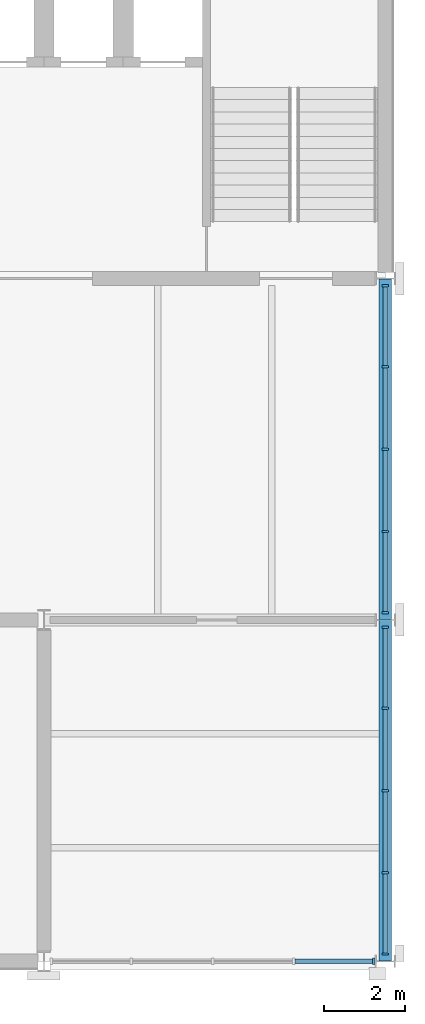
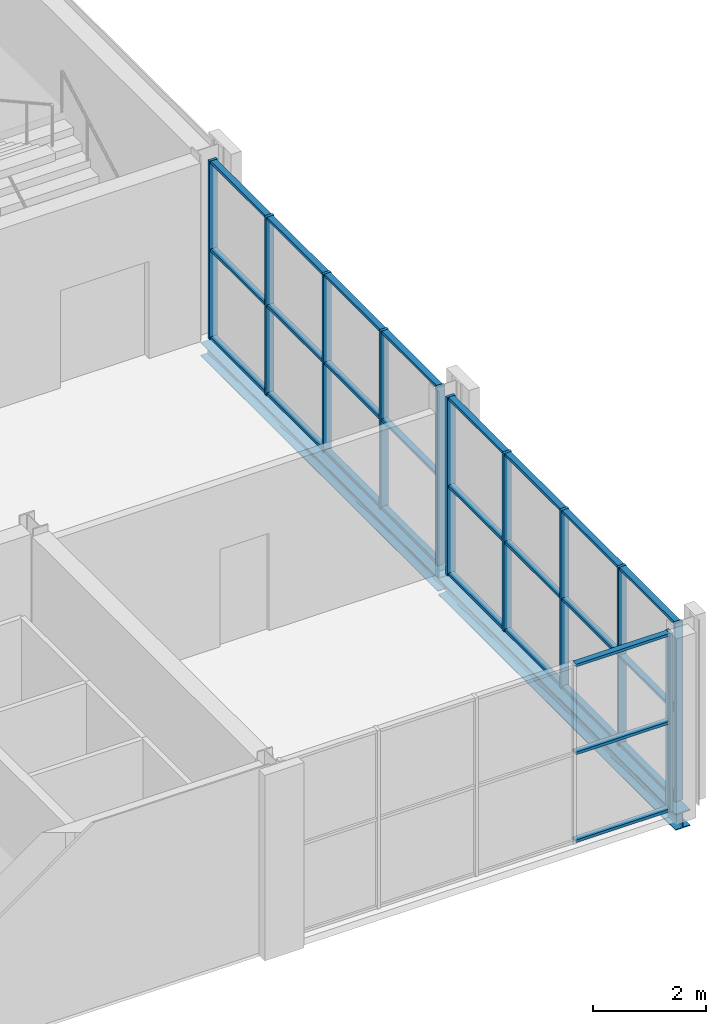
# One storey, part 6 of 12: 38 members, 2 beams, 3 elements without a shape of their own.
"""IFC4 building model written with IfcOpenShell, lengths in metres."""

from ifc_helpers import new_model, si_unit, direction, frame, origin, origin_2d, place, context, subcontext, project, spatial, rectangle, i_section, extrude, material, layer, layer_set, material_profile, profile_set, type_object, element, aggregate, save


model = new_model("IFC4")

# Units and contexts
model_context = context("Model", 3, precision=1e-05, world=origin(), true_north=direction((0.0, 1.0)))
body_context = subcontext(model_context, "Body", "Model", "MODEL_VIEW")
ifc_project = project(units=[si_unit("LENGTHUNIT", "METRE"), si_unit("AREAUNIT", "SQUARE_METRE"), si_unit("VOLUMEUNIT", "CUBIC_METRE"), si_unit("PLANEANGLEUNIT", "RADIAN"), si_unit("MASSUNIT", "GRAM", prefix="KILO")], contexts=[model_context])

# Site, building, storey
site_placement = place(None, origin())
site = spatial("IfcSite", under=ifc_project, at=site_placement, CompositionType="ELEMENT")
building_placement = place(site_placement, origin())
building = spatial("IfcBuilding", under=site, at=building_placement, Name="Galleria Vessillo Department Store", CompositionType="ELEMENT")
storey_placement = place(building_placement, frame((0.0, 0.0, 35.60009765625)))
storey = spatial("IfcBuildingStorey", under=building, at=storey_placement, Name="L07", CompositionType="ELEMENT", Elevation=35.60009765625)

# Curtain wall, member
ifc_material_1 = material(Name="Aluminium and glass curtain wall", Category="aluminium")
ifc_layer = layer(ifc_material_1, 0.159912109375)
ifc_layer_set = layer_set([ifc_layer], Name="Aluminium and glass curtain wall")
curtain_wall_type = type_object("IfcCurtainWallType", Name="Tower curtain wall CW4 2100 module", PredefinedType="NOTDEFINED", material=ifc_layer_set)
curtain_wall_1_placement = place(storey_placement, origin())
curtain_wall_1 = element("IfcCurtainWall", 1, at=curtain_wall_1_placement, inside=storey, type_object=curtain_wall_type, Name="Tower curtain wall CW4 2100 module TS-L07-03", PredefinedType="NOTDEFINED")
ifc_material_2 = material(Name="Aluminium alloy 6063 T6", Category="aluminium")
ifc_material_profile_1 = material_profile(ifc_material_2, rectangle(XDim=0.159912109375, YDim=0.06005859375, at=origin_2d()), Name="AL 60x160")
ifc_profile_set_1 = profile_set([ifc_material_profile_1], Name="Aluminium alloy 6063 T6")
member_type_1 = type_object("IfcMemberType", Name="Aluminium mullion 60 x 160", PredefinedType="MULLION", material=ifc_profile_set_1)
member_1_placement = place(storey_placement, frame((117.320068359375, 37.800048828125, 0.0), z_axis=(0.0, 0.0, 1.0), x_axis=(0.0, 1.0, 0.0)))
member_1 = element("IfcMember", 2, at=member_1_placement, type_object=member_type_1, Name="CW4 mullion 5", PredefinedType="MULLION", context=body_context, shape_type="SweptSolid", body=[
    extrude(rectangle(XDim=0.159912109375, YDim=0.06005859375, at=origin_2d()), origin(), (0.0, 0.0, 1.0), 3.85009765625),
])

# Curtain wall, members
curtain_wall_2_placement = place(storey_placement, origin())
curtain_wall_2 = element("IfcCurtainWall", 3, at=curtain_wall_2_placement, inside=storey, type_object=curtain_wall_type, Name="Tower curtain wall CW4 2100 module TE-L07-01", PredefinedType="NOTDEFINED")
member_2_placement = place(storey_placement, frame((117.60009765625, 37.97998046875, 0.0), z_axis=(0.0, 0.0, 1.0), x_axis=(-1.0, 0.0, 0.0)))
member_2 = element("IfcMember", 4, at=member_2_placement, type_object=member_type_1, Name="CW4 mullion 1", PredefinedType="MULLION", context=body_context, shape_type="SweptSolid", body=[
    extrude(rectangle(XDim=0.159912109375, YDim=0.06005859375, at=origin_2d()), origin(), (0.0, 0.0, 1.0), 3.85009765625),
])
member_3_placement = place(storey_placement, frame((117.60009765625, 39.97509765625, 0.0), z_axis=(0.0, 0.0, 1.0), x_axis=(-1.0, 0.0, 0.0)))
member_3 = element("IfcMember", 5, at=member_3_placement, type_object=member_type_1, Name="CW4 mullion 2", PredefinedType="MULLION", context=body_context, shape_type="SweptSolid", body=[
    extrude(rectangle(XDim=0.159912109375, YDim=0.06005859375, at=origin_2d()), origin(), (0.0, 0.0, 1.0), 3.85009765625),
])
member_4_placement = place(storey_placement, frame((117.60009765625, 42.0, 0.0), z_axis=(0.0, 0.0, 1.0), x_axis=(-1.0, 0.0, 0.0)))
member_4 = element("IfcMember", 6, at=member_4_placement, type_object=member_type_1, Name="CW4 mullion 3", PredefinedType="MULLION", context=body_context, shape_type="SweptSolid", body=[
    extrude(rectangle(XDim=0.159912109375, YDim=0.06005859375, at=origin_2d()), origin(), (0.0, 0.0, 1.0), 3.85009765625),
])
member_5_placement = place(storey_placement, frame((117.60009765625, 44.02490234375, 0.0), z_axis=(0.0, 0.0, 1.0), x_axis=(-1.0, 0.0, 0.0)))
member_5 = element("IfcMember", 7, at=member_5_placement, type_object=member_type_1, Name="CW4 mullion 4", PredefinedType="MULLION", context=body_context, shape_type="SweptSolid", body=[
    extrude(rectangle(XDim=0.159912109375, YDim=0.06005859375, at=origin_2d()), origin(), (0.0, 0.0, 1.0), 3.85009765625),
])
member_6_placement = place(storey_placement, frame((117.60009765625, 46.02001953125, 0.0), z_axis=(0.0, 0.0, 1.0), x_axis=(-1.0, 0.0, 0.0)))
member_6 = element("IfcMember", 8, at=member_6_placement, type_object=member_type_1, Name="CW4 mullion 5", PredefinedType="MULLION", context=body_context, shape_type="SweptSolid", body=[
    extrude(rectangle(XDim=0.159912109375, YDim=0.06005859375, at=origin_2d()), origin(), (0.0, 0.0, 1.0), 3.85009765625),
])

curtain_wall_3_placement = place(storey_placement, origin())
curtain_wall_3 = element("IfcCurtainWall", 9, at=curtain_wall_3_placement, inside=storey, type_object=curtain_wall_type, Name="Tower curtain wall CW4 2100 module TE-L07-02", PredefinedType="NOTDEFINED")
member_7_placement = place(storey_placement, frame((117.60009765625, 46.3798828125, 0.0), z_axis=(0.0, 0.0, 1.0), x_axis=(-1.0, 0.0, 0.0)))
member_7 = element("IfcMember", 10, at=member_7_placement, type_object=member_type_1, Name="CW4 mullion 1", PredefinedType="MULLION", context=body_context, shape_type="SweptSolid", body=[
    extrude(rectangle(XDim=0.159912109375, YDim=0.06005859375, at=origin_2d()), origin(), (0.0, 0.0, 1.0), 3.85009765625),
])
member_8_placement = place(storey_placement, frame((117.60009765625, 48.375, 0.0), z_axis=(0.0, 0.0, 1.0), x_axis=(-1.0, 0.0, 0.0)))
member_8 = element("IfcMember", 11, at=member_8_placement, type_object=member_type_1, Name="CW4 mullion 2", PredefinedType="MULLION", context=body_context, shape_type="SweptSolid", body=[
    extrude(rectangle(XDim=0.159912109375, YDim=0.06005859375, at=origin_2d()), origin(), (0.0, 0.0, 1.0), 3.85009765625),
])
member_9_placement = place(storey_placement, frame((117.60009765625, 50.39990234375, 0.0), z_axis=(0.0, 0.0, 1.0), x_axis=(-1.0, 0.0, 0.0)))
member_9 = element("IfcMember", 12, at=member_9_placement, type_object=member_type_1, Name="CW4 mullion 3", PredefinedType="MULLION", context=body_context, shape_type="SweptSolid", body=[
    extrude(rectangle(XDim=0.159912109375, YDim=0.06005859375, at=origin_2d()), origin(), (0.0, 0.0, 1.0), 3.85009765625),
])
member_10_placement = place(storey_placement, frame((117.60009765625, 52.425048828125, 0.0), z_axis=(0.0, 0.0, 1.0), x_axis=(-1.0, 0.0, 0.0)))
member_10 = element("IfcMember", 13, at=member_10_placement, type_object=member_type_1, Name="CW4 mullion 4", PredefinedType="MULLION", context=body_context, shape_type="SweptSolid", body=[
    extrude(rectangle(XDim=0.159912109375, YDim=0.06005859375, at=origin_2d()), origin(), (0.0, 0.0, 1.0), 3.85009765625),
])
member_11_placement = place(storey_placement, frame((117.60009765625, 54.420166015625, 0.0), z_axis=(0.0, 0.0, 1.0), x_axis=(-1.0, 0.0, 0.0)))
member_11 = element("IfcMember", 14, at=member_11_placement, type_object=member_type_1, Name="CW4 mullion 5", PredefinedType="MULLION", context=body_context, shape_type="SweptSolid", body=[
    extrude(rectangle(XDim=0.159912109375, YDim=0.06005859375, at=origin_2d()), origin(), (0.0, 0.0, 1.0), 3.85009765625),
])

# Member
ifc_material_3 = material(Name="Aluminium alloy 6063 T6", Category="aluminium")
ifc_material_profile_2 = material_profile(ifc_material_3, rectangle(XDim=0.1201171875, YDim=0.06005859375, at=origin_2d()), Name="AL 60x120")
ifc_profile_set_2 = profile_set([ifc_material_profile_2], Name="Aluminium alloy 6063 T6")
member_type_2 = type_object("IfcMemberType", Name="Aluminium transom 60 x 120", PredefinedType="USERDEFINED", material=ifc_profile_set_2)
member_12_placement = place(storey_placement, frame((115.380126953125, 37.800048828125, 0.030029296875), z_axis=(1.0, 0.0, 0.0), x_axis=(0.0, 1.0, 0.0)))
member_12 = element("IfcMember", 15, at=member_12_placement, type_object=member_type_2, Name="CW4 transom 4.1", ObjectType="TRANSOM", PredefinedType="USERDEFINED", context=body_context, shape_type="SweptSolid", body=[
    extrude(rectangle(XDim=0.1201171875, YDim=0.06005859375, at=origin_2d()), origin(), (0.0, 0.0, 1.0), 1.909912109375),
])

member_13_placement = place(storey_placement, frame((115.380126953125, 37.800048828125, 1.925048828125), z_axis=(1.0, 0.0, 0.0), x_axis=(0.0, 1.0, 0.0)))
member_13 = element("IfcMember", 16, at=member_13_placement, type_object=member_type_2, Name="CW4 transom 4.2", ObjectType="TRANSOM", PredefinedType="USERDEFINED", context=body_context, shape_type="SweptSolid", body=[
    extrude(rectangle(XDim=0.1201171875, YDim=0.06005859375, at=origin_2d()), origin(), (0.0, 0.0, 1.0), 1.909912109375),
])

member_14_placement = place(storey_placement, frame((115.380126953125, 37.800048828125, 3.820068359375), z_axis=(1.0, 0.0, 0.0), x_axis=(0.0, 1.0, 0.0)))
member_14 = element("IfcMember", 17, at=member_14_placement, type_object=member_type_2, Name="CW4 transom 4.3", ObjectType="TRANSOM", PredefinedType="USERDEFINED", context=body_context, shape_type="SweptSolid", body=[
    extrude(rectangle(XDim=0.1201171875, YDim=0.06005859375, at=origin_2d()), origin(), (0.0, 0.0, 1.0), 1.909912109375),
])

aggregate(curtain_wall_1, [member_1, member_12, member_13, member_14])

member_15_placement = place(storey_placement, frame((117.60009765625, 38.010009765625, 0.030029296875), z_axis=(0.0, 1.0, 0.0), x_axis=(-1.0, 0.0, 0.0)))
member_15 = element("IfcMember", 18, at=member_15_placement, type_object=member_type_2, Name="CW4 transom 1.1", ObjectType="TRANSOM", PredefinedType="USERDEFINED", context=body_context, shape_type="SweptSolid", body=[
    extrude(rectangle(XDim=0.1201171875, YDim=0.06005859375, at=origin_2d()), origin(), (0.0, 0.0, 1.0), 1.93505859375),
])

member_16_placement = place(storey_placement, frame((117.60009765625, 38.010009765625, 1.925048828125), z_axis=(0.0, 1.0, 0.0), x_axis=(-1.0, 0.0, 0.0)))
member_16 = element("IfcMember", 19, at=member_16_placement, type_object=member_type_2, Name="CW4 transom 1.2", ObjectType="TRANSOM", PredefinedType="USERDEFINED", context=body_context, shape_type="SweptSolid", body=[
    extrude(rectangle(XDim=0.1201171875, YDim=0.06005859375, at=origin_2d()), origin(), (0.0, 0.0, 1.0), 1.93505859375),
])

member_17_placement = place(storey_placement, frame((117.60009765625, 38.010009765625, 3.820068359375), z_axis=(0.0, 1.0, 0.0), x_axis=(-1.0, 0.0, 0.0)))
member_17 = element("IfcMember", 20, at=member_17_placement, type_object=member_type_2, Name="CW4 transom 1.3", ObjectType="TRANSOM", PredefinedType="USERDEFINED", context=body_context, shape_type="SweptSolid", body=[
    extrude(rectangle(XDim=0.1201171875, YDim=0.06005859375, at=origin_2d()), origin(), (0.0, 0.0, 1.0), 1.93505859375),
])

member_18_placement = place(storey_placement, frame((117.60009765625, 40.0048828125, 0.030029296875), z_axis=(0.0, 1.0, 0.0), x_axis=(-1.0, 0.0, 0.0)))
member_18 = element("IfcMember", 21, at=member_18_placement, type_object=member_type_2, Name="CW4 transom 2.1", ObjectType="TRANSOM", PredefinedType="USERDEFINED", context=body_context, shape_type="SweptSolid", body=[
    extrude(rectangle(XDim=0.1201171875, YDim=0.06005859375, at=origin_2d()), origin(), (0.0, 0.0, 1.0), 1.965087890625),
])

member_19_placement = place(storey_placement, frame((117.60009765625, 40.0048828125, 1.925048828125), z_axis=(0.0, 1.0, 0.0), x_axis=(-1.0, 0.0, 0.0)))
member_19 = element("IfcMember", 22, at=member_19_placement, type_object=member_type_2, Name="CW4 transom 2.2", ObjectType="TRANSOM", PredefinedType="USERDEFINED", context=body_context, shape_type="SweptSolid", body=[
    extrude(rectangle(XDim=0.1201171875, YDim=0.06005859375, at=origin_2d()), origin(), (0.0, 0.0, 1.0), 1.965087890625),
])

member_20_placement = place(storey_placement, frame((117.60009765625, 40.0048828125, 3.820068359375), z_axis=(0.0, 1.0, 0.0), x_axis=(-1.0, 0.0, 0.0)))
member_20 = element("IfcMember", 23, at=member_20_placement, type_object=member_type_2, Name="CW4 transom 2.3", ObjectType="TRANSOM", PredefinedType="USERDEFINED", context=body_context, shape_type="SweptSolid", body=[
    extrude(rectangle(XDim=0.1201171875, YDim=0.06005859375, at=origin_2d()), origin(), (0.0, 0.0, 1.0), 1.965087890625),
])

member_21_placement = place(storey_placement, frame((117.60009765625, 42.030029296875, 0.030029296875), z_axis=(0.0, 1.0, 0.0), x_axis=(-1.0, 0.0, 0.0)))
member_21 = element("IfcMember", 24, at=member_21_placement, type_object=member_type_2, Name="CW4 transom 3.1", ObjectType="TRANSOM", PredefinedType="USERDEFINED", context=body_context, shape_type="SweptSolid", body=[
    extrude(rectangle(XDim=0.1201171875, YDim=0.06005859375, at=origin_2d()), origin(), (0.0, 0.0, 1.0), 1.965087890625),
])

member_22_placement = place(storey_placement, frame((117.60009765625, 42.030029296875, 1.925048828125), z_axis=(0.0, 1.0, 0.0), x_axis=(-1.0, 0.0, 0.0)))
member_22 = element("IfcMember", 25, at=member_22_placement, type_object=member_type_2, Name="CW4 transom 3.2", ObjectType="TRANSOM", PredefinedType="USERDEFINED", context=body_context, shape_type="SweptSolid", body=[
    extrude(rectangle(XDim=0.1201171875, YDim=0.06005859375, at=origin_2d()), origin(), (0.0, 0.0, 1.0), 1.965087890625),
])

member_23_placement = place(storey_placement, frame((117.60009765625, 42.030029296875, 3.820068359375), z_axis=(0.0, 1.0, 0.0), x_axis=(-1.0, 0.0, 0.0)))
member_23 = element("IfcMember", 26, at=member_23_placement, type_object=member_type_2, Name="CW4 transom 3.3", ObjectType="TRANSOM", PredefinedType="USERDEFINED", context=body_context, shape_type="SweptSolid", body=[
    extrude(rectangle(XDim=0.1201171875, YDim=0.06005859375, at=origin_2d()), origin(), (0.0, 0.0, 1.0), 1.965087890625),
])

member_24_placement = place(storey_placement, frame((117.60009765625, 44.054931640625, 0.030029296875), z_axis=(0.0, 1.0, 0.0), x_axis=(-1.0, 0.0, 0.0)))
member_24 = element("IfcMember", 27, at=member_24_placement, type_object=member_type_2, Name="CW4 transom 4.1", ObjectType="TRANSOM", PredefinedType="USERDEFINED", context=body_context, shape_type="SweptSolid", body=[
    extrude(rectangle(XDim=0.1201171875, YDim=0.06005859375, at=origin_2d()), origin(), (0.0, 0.0, 1.0), 1.93505859375),
])

member_25_placement = place(storey_placement, frame((117.60009765625, 44.054931640625, 1.925048828125), z_axis=(0.0, 1.0, 0.0), x_axis=(-1.0, 0.0, 0.0)))
member_25 = element("IfcMember", 28, at=member_25_placement, type_object=member_type_2, Name="CW4 transom 4.2", ObjectType="TRANSOM", PredefinedType="USERDEFINED", context=body_context, shape_type="SweptSolid", body=[
    extrude(rectangle(XDim=0.1201171875, YDim=0.06005859375, at=origin_2d()), origin(), (0.0, 0.0, 1.0), 1.93505859375),
])

member_26_placement = place(storey_placement, frame((117.60009765625, 44.054931640625, 3.820068359375), z_axis=(0.0, 1.0, 0.0), x_axis=(-1.0, 0.0, 0.0)))
member_26 = element("IfcMember", 29, at=member_26_placement, type_object=member_type_2, Name="CW4 transom 4.3", ObjectType="TRANSOM", PredefinedType="USERDEFINED", context=body_context, shape_type="SweptSolid", body=[
    extrude(rectangle(XDim=0.1201171875, YDim=0.06005859375, at=origin_2d()), origin(), (0.0, 0.0, 1.0), 1.93505859375),
])

aggregate(curtain_wall_2, [member_2, member_3, member_4, member_5, member_6, member_15, member_16, member_17, member_18, member_19, member_20, member_21, member_22, member_23, member_24, member_25, member_26])

member_27_placement = place(storey_placement, frame((117.60009765625, 46.409912109375, 0.030029296875), z_axis=(0.0, 1.0, 0.0), x_axis=(-1.0, 0.0, 0.0)))
member_27 = element("IfcMember", 30, at=member_27_placement, type_object=member_type_2, Name="CW4 transom 1.1", ObjectType="TRANSOM", PredefinedType="USERDEFINED", context=body_context, shape_type="SweptSolid", body=[
    extrude(rectangle(XDim=0.1201171875, YDim=0.06005859375, at=origin_2d()), origin(), (0.0, 0.0, 1.0), 1.93505859375),
])

member_28_placement = place(storey_placement, frame((117.60009765625, 46.409912109375, 1.925048828125), z_axis=(0.0, 1.0, 0.0), x_axis=(-1.0, 0.0, 0.0)))
member_28 = element("IfcMember", 31, at=member_28_placement, type_object=member_type_2, Name="CW4 transom 1.2", ObjectType="TRANSOM", PredefinedType="USERDEFINED", context=body_context, shape_type="SweptSolid", body=[
    extrude(rectangle(XDim=0.1201171875, YDim=0.06005859375, at=origin_2d()), origin(), (0.0, 0.0, 1.0), 1.93505859375),
])

member_29_placement = place(storey_placement, frame((117.60009765625, 46.409912109375, 3.820068359375), z_axis=(0.0, 1.0, 0.0), x_axis=(-1.0, 0.0, 0.0)))
member_29 = element("IfcMember", 32, at=member_29_placement, type_object=member_type_2, Name="CW4 transom 1.3", ObjectType="TRANSOM", PredefinedType="USERDEFINED", context=body_context, shape_type="SweptSolid", body=[
    extrude(rectangle(XDim=0.1201171875, YDim=0.06005859375, at=origin_2d()), origin(), (0.0, 0.0, 1.0), 1.93505859375),
])

member_30_placement = place(storey_placement, frame((117.60009765625, 48.405029296875, 0.030029296875), z_axis=(0.0, 1.0, 0.0), x_axis=(-1.0, 0.0, 0.0)))
member_30 = element("IfcMember", 33, at=member_30_placement, type_object=member_type_2, Name="CW4 transom 2.1", ObjectType="TRANSOM", PredefinedType="USERDEFINED", context=body_context, shape_type="SweptSolid", body=[
    extrude(rectangle(XDim=0.1201171875, YDim=0.06005859375, at=origin_2d()), origin(), (0.0, 0.0, 1.0), 1.965087890625),
])

member_31_placement = place(storey_placement, frame((117.60009765625, 48.405029296875, 1.925048828125), z_axis=(0.0, 1.0, 0.0), x_axis=(-1.0, 0.0, 0.0)))
member_31 = element("IfcMember", 34, at=member_31_placement, type_object=member_type_2, Name="CW4 transom 2.2", ObjectType="TRANSOM", PredefinedType="USERDEFINED", context=body_context, shape_type="SweptSolid", body=[
    extrude(rectangle(XDim=0.1201171875, YDim=0.06005859375, at=origin_2d()), origin(), (0.0, 0.0, 1.0), 1.965087890625),
])

member_32_placement = place(storey_placement, frame((117.60009765625, 48.405029296875, 3.820068359375), z_axis=(0.0, 1.0, 0.0), x_axis=(-1.0, 0.0, 0.0)))
member_32 = element("IfcMember", 35, at=member_32_placement, type_object=member_type_2, Name="CW4 transom 2.3", ObjectType="TRANSOM", PredefinedType="USERDEFINED", context=body_context, shape_type="SweptSolid", body=[
    extrude(rectangle(XDim=0.1201171875, YDim=0.06005859375, at=origin_2d()), origin(), (0.0, 0.0, 1.0), 1.965087890625),
])

member_33_placement = place(storey_placement, frame((117.60009765625, 50.429931640625, 0.030029296875), z_axis=(0.0, 1.0, 0.0), x_axis=(-1.0, 0.0, 0.0)))
member_33 = element("IfcMember", 36, at=member_33_placement, type_object=member_type_2, Name="CW4 transom 3.1", ObjectType="TRANSOM", PredefinedType="USERDEFINED", context=body_context, shape_type="SweptSolid", body=[
    extrude(rectangle(XDim=0.1201171875, YDim=0.06005859375, at=origin_2d()), origin(), (0.0, 0.0, 1.0), 1.965087890625),
])

member_34_placement = place(storey_placement, frame((117.60009765625, 50.429931640625, 1.925048828125), z_axis=(0.0, 1.0, 0.0), x_axis=(-1.0, 0.0, 0.0)))
member_34 = element("IfcMember", 37, at=member_34_placement, type_object=member_type_2, Name="CW4 transom 3.2", ObjectType="TRANSOM", PredefinedType="USERDEFINED", context=body_context, shape_type="SweptSolid", body=[
    extrude(rectangle(XDim=0.1201171875, YDim=0.06005859375, at=origin_2d()), origin(), (0.0, 0.0, 1.0), 1.965087890625),
])

member_35_placement = place(storey_placement, frame((117.60009765625, 50.429931640625, 3.820068359375), z_axis=(0.0, 1.0, 0.0), x_axis=(-1.0, 0.0, 0.0)))
member_35 = element("IfcMember", 38, at=member_35_placement, type_object=member_type_2, Name="CW4 transom 3.3", ObjectType="TRANSOM", PredefinedType="USERDEFINED", context=body_context, shape_type="SweptSolid", body=[
    extrude(rectangle(XDim=0.1201171875, YDim=0.06005859375, at=origin_2d()), origin(), (0.0, 0.0, 1.0), 1.965087890625),
])

member_36_placement = place(storey_placement, frame((117.60009765625, 52.455078125, 0.030029296875), z_axis=(0.0, 1.0, 0.0), x_axis=(-1.0, 0.0, 0.0)))
member_36 = element("IfcMember", 39, at=member_36_placement, type_object=member_type_2, Name="CW4 transom 4.1", ObjectType="TRANSOM", PredefinedType="USERDEFINED", context=body_context, shape_type="SweptSolid", body=[
    extrude(rectangle(XDim=0.1201171875, YDim=0.06005859375, at=origin_2d()), origin(), (0.0, 0.0, 1.0), 1.93505859375),
])

member_37_placement = place(storey_placement, frame((117.60009765625, 52.455078125, 1.925048828125), z_axis=(0.0, 1.0, 0.0), x_axis=(-1.0, 0.0, 0.0)))
member_37 = element("IfcMember", 40, at=member_37_placement, type_object=member_type_2, Name="CW4 transom 4.2", ObjectType="TRANSOM", PredefinedType="USERDEFINED", context=body_context, shape_type="SweptSolid", body=[
    extrude(rectangle(XDim=0.1201171875, YDim=0.06005859375, at=origin_2d()), origin(), (0.0, 0.0, 1.0), 1.93505859375),
])

member_38_placement = place(storey_placement, frame((117.60009765625, 52.455078125, 3.820068359375), z_axis=(0.0, 1.0, 0.0), x_axis=(-1.0, 0.0, 0.0)))
member_38 = element("IfcMember", 41, at=member_38_placement, type_object=member_type_2, Name="CW4 transom 4.3", ObjectType="TRANSOM", PredefinedType="USERDEFINED", context=body_context, shape_type="SweptSolid", body=[
    extrude(rectangle(XDim=0.1201171875, YDim=0.06005859375, at=origin_2d()), origin(), (0.0, 0.0, 1.0), 1.93505859375),
])

aggregate(curtain_wall_3, [member_7, member_8, member_9, member_10, member_11, member_27, member_28, member_29, member_30, member_31, member_32, member_33, member_34, member_35, member_36, member_37, member_38])

# Beams
ifc_material_4 = material(Name="Steel S355 J2", Category="steel")
ifc_material_profile_3 = material_profile(ifc_material_4, i_section(OverallWidth=0.300048828125, OverallDepth=0.2900390625, WebThickness=0.008544921875, FlangeThickness=0.013916015625, FilletRadius=0.027099609375, at=origin_2d()), Name="HEA 300")
ifc_profile_set_3 = profile_set([ifc_material_profile_3], Name="Steel S355 J2")
beam_type_1 = type_object("IfcBeamType", Name="Spandrel beam HEA 300", PredefinedType="SPANDREL", material=ifc_profile_set_3)
beam_1_placement = place(storey_placement, frame((117.60009765625, 46.207275390625, -0.294921875), z_axis=(0.0, 1.0, 0.0), x_axis=(-1.0, 0.0, 0.0)))
element("IfcBeam", 42, at=beam_1_placement, inside=storey, type_object=beam_type_1, Name="S-BM-L07-SP-y117600-46207", PredefinedType="SPANDREL", context=body_context, shape_type="SweptSolid", body=[
    extrude(i_section(OverallWidth=0.300048828125, OverallDepth=0.2900390625, WebThickness=0.008544921875, FlangeThickness=0.013916015625, FilletRadius=0.027099609375, at=origin_2d()), origin(), (0.0, 0.0, 1.0), 8.38525390625),
])
ifc_material_5 = material(Name="Steel S355 J2", Category="steel")
ifc_material_profile_4 = material_profile(ifc_material_5, i_section(OverallWidth=0.300048828125, OverallDepth=0.35009765625, WebThickness=0.010009765625, FlangeThickness=0.017578125, FilletRadius=0.027099609375, at=origin_2d()), Name="HEA 360")
ifc_profile_set_4 = profile_set([ifc_material_profile_4], Name="Steel S355 J2")
beam_type_2 = type_object("IfcBeamType", Name="Spandrel beam HEA 360", PredefinedType="SPANDREL", material=ifc_profile_set_4)
beam_2_placement = place(storey_placement, frame((117.60009765625, 37.807373046875, -0.324951171875), z_axis=(0.0, 1.0, 0.0), x_axis=(-1.0, 0.0, 0.0)))
element("IfcBeam", 43, at=beam_2_placement, inside=storey, type_object=beam_type_2, Name="S-BM-L07-SP-y117600-37807", PredefinedType="SPANDREL", context=body_context, shape_type="SweptSolid", body=[
    extrude(i_section(OverallWidth=0.300048828125, OverallDepth=0.35009765625, WebThickness=0.010009765625, FlangeThickness=0.017578125, FilletRadius=0.027099609375, at=origin_2d()), origin(), (0.0, 0.0, 1.0), 8.38525390625),
])

save(model, "model.ifc")
